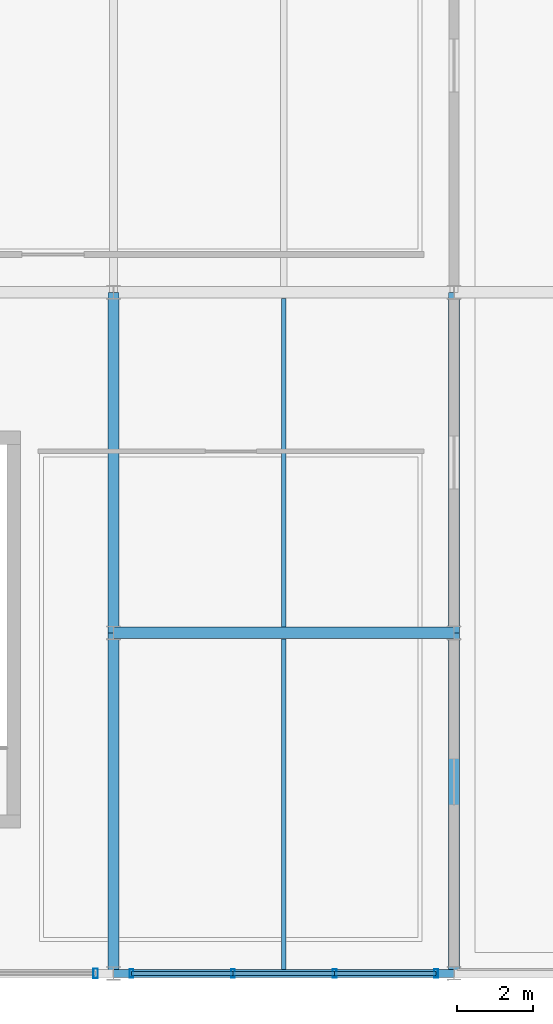
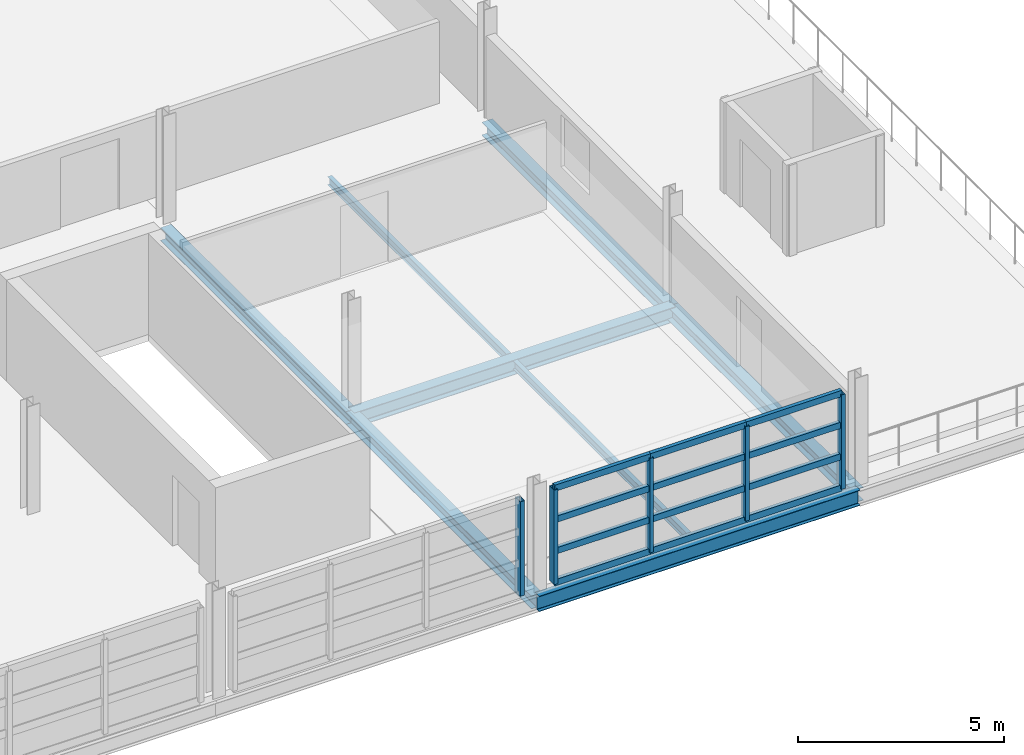
# One storey, part 36 of 86: 17 members, 8 beams, 2 elements without a shape of their own.
"""IFC4 building model written with IfcOpenShell, lengths in metres."""

from ifc_helpers import new_model, si_unit, direction, frame, origin, origin_2d, place, context, subcontext, project, spatial, hollow_rectangle, i_section, extrude, material, material_profile, profile_set, type_object, element, aggregate, save


model = new_model("IFC4")

# Units and contexts
model_context = context("Model", 3, precision=1e-05, world=origin(), true_north=direction((0.0, 1.0)))
body_context = subcontext(model_context, "Body", "Model", "MODEL_VIEW")
ifc_project = project(units=[si_unit("LENGTHUNIT", "METRE"), si_unit("AREAUNIT", "SQUARE_METRE"), si_unit("VOLUMEUNIT", "CUBIC_METRE"), si_unit("PLANEANGLEUNIT", "RADIAN"), si_unit("MASSUNIT", "GRAM", prefix="KILO")], contexts=[model_context])

# Site, building, storey
site_placement = place(None, origin())
site = spatial("IfcSite", under=ifc_project, at=site_placement, CompositionType="ELEMENT")
building_placement = place(site_placement, origin())
building = spatial("IfcBuilding", under=site, at=building_placement, Name="Chuanluo Vaults Station", CompositionType="ELEMENT")
storey_placement = place(building_placement, frame((0.0, 0.0, 14.39990234375)))
storey = spatial("IfcBuildingStorey", under=building, at=storey_placement, Name="L03", CompositionType="ELEMENT", Elevation=14.39990234375)

# Beams
ifc_material_1 = material(Name="Steel Q355C", Category="steel")
ifc_material_profile_1 = material_profile(ifc_material_1, i_section(OverallWidth=0.300048828125, OverallDepth=0.389892578125, WebThickness=0.010009765625, FlangeThickness=0.01611328125, FilletRadius=0.02001953125, at=origin_2d()))
ifc_profile_set_1 = profile_set([ifc_material_profile_1], Name="Steel Q355C")
beam_type_1 = type_object("IfcBeamType", Name="BM-GRD-400", PredefinedType="BEAM", material=ifc_profile_set_1)
for number, where, z_axis, x_axis, name in (
    (1, (163.0, 0.0, -0.39501953125), (0.0, 1.0, 0.0), (-1.0, 0.0, 0.0), "Floor girder BM:GY:L03:0804"),
    (2, (163.0, 9.0, -0.39501953125), (0.0, 1.0, 0.0), (-1.0, 0.0, 0.0), "Floor girder BM:GY:L03:0805"),
    (3, (172.0, 0.0, -0.4248046875), (0.0, 1.0, 0.0), (-1.0, 0.0, 0.0), "Floor girder BM:GY:L03:0814"),
    (4, (172.0, 9.0, -0.4248046875), (0.0, 1.0, 0.0), (-1.0, 0.0, 0.0), "Floor girder BM:GY:L03:0815"),
):
    element("IfcBeam", number, at=place(storey_placement, frame(where, z_axis=z_axis, x_axis=x_axis)), inside=storey, type_object=beam_type_1, Name=name, PredefinedType="BEAM", context=body_context, shape_type="SweptSolid", body=[
        extrude(i_section(OverallWidth=0.300048828125, OverallDepth=0.389892578125, WebThickness=0.010009765625, FlangeThickness=0.01611328125, FilletRadius=0.02001953125, at=origin_2d()), origin(), (0.0, 0.0, 1.0), 9.0),
    ])
ifc_material_2 = material(Name="Steel Q355C", Category="steel")
ifc_material_profile_2 = material_profile(ifc_material_2, i_section(OverallWidth=0.300048828125, OverallDepth=0.43994140625, WebThickness=0.010986328125, FlangeThickness=0.01806640625, FilletRadius=0.02001953125, at=origin_2d()))
ifc_profile_set_2 = profile_set([ifc_material_profile_2], Name="Steel Q355C")
beam_type_2 = type_object("IfcBeamType", Name="BM-GRD-450", PredefinedType="USERDEFINED", material=ifc_profile_set_2)
beam_1_placement = place(storey_placement, frame((163.0, 9.0, -0.419921875), z_axis=(1.0, 0.0, 0.0), x_axis=(0.0, 1.0, 0.0)))
element("IfcBeam", 5, at=beam_1_placement, inside=storey, type_object=beam_type_2, Name="Floor girder BM:GX:L03:0718", ObjectType="GIRDER", PredefinedType="USERDEFINED", context=body_context, shape_type="SweptSolid", body=[
    extrude(i_section(OverallWidth=0.300048828125, OverallDepth=0.43994140625, WebThickness=0.010986328125, FlangeThickness=0.01806640625, FilletRadius=0.02001953125, at=origin_2d()), origin(), (0.0, 0.0, 1.0), 9.0),
])
ifc_material_3 = material(Name="Steel Q355C", Category="steel")
ifc_material_profile_3 = material_profile(ifc_material_3, i_section(OverallWidth=0.125, OverallDepth=0.25, WebThickness=0.006103515625, FlangeThickness=0.009033203125, FilletRadius=0.011962890625, at=origin_2d()))
ifc_profile_set_3 = profile_set([ifc_material_profile_3], Name="Steel Q355C")
beam_type_3 = type_object("IfcBeamType", Name="BM-SEC-250", PredefinedType="JOIST", material=ifc_profile_set_3)
beam_2_placement = place(storey_placement, frame((167.5, 0.107421875, -0.324951171875), z_axis=(0.0, 1.0, 0.0), x_axis=(-1.0, 0.0, 0.0)))
element("IfcBeam", 6, at=beam_2_placement, inside=storey, type_object=beam_type_3, Name="Composite secondary joist 0250", PredefinedType="JOIST", context=body_context, shape_type="SweptSolid", body=[
    extrude(i_section(OverallWidth=0.125, OverallDepth=0.25, WebThickness=0.006103515625, FlangeThickness=0.009033203125, FilletRadius=0.011962890625, at=origin_2d()), origin(), (0.0, 0.0, 1.0), 8.737548828125),
])
beam_3_placement = place(storey_placement, frame((167.5, 9.155029296875, -0.324951171875), z_axis=(0.0, 1.0, 0.0), x_axis=(-1.0, 0.0, 0.0)))
element("IfcBeam", 7, at=beam_3_placement, inside=storey, type_object=beam_type_3, Name="Composite secondary joist 0251", PredefinedType="JOIST", context=body_context, shape_type="SweptSolid", body=[
    extrude(i_section(OverallWidth=0.125, OverallDepth=0.25, WebThickness=0.006103515625, FlangeThickness=0.009033203125, FilletRadius=0.011962890625, at=origin_2d()), origin(), (0.0, 0.0, 1.0), 8.68994140625),
])
ifc_material_4 = material(Name="Steel Q355C", Category="steel")
ifc_material_profile_4 = material_profile(ifc_material_4, i_section(OverallWidth=0.205078125, OverallDepth=0.4599609375, WebThickness=0.009033203125, FlangeThickness=0.013916015625, FilletRadius=0.01611328125, at=origin_2d()))
ifc_profile_set_4 = profile_set([ifc_material_profile_4], Name="Steel Q355C")
beam_type_4 = type_object("IfcBeamType", Name="BM-SPN-450", PredefinedType="SPANDREL", material=ifc_profile_set_4)
beam_4_placement = place(storey_placement, frame((163.0, 0.0, -0.429931640625), z_axis=(1.0, 0.0, 0.0), x_axis=(0.0, 1.0, 0.0)))
element("IfcBeam", 8, at=beam_4_placement, inside=storey, type_object=beam_type_4, Name="Floor girder BM:GX:L03:0714", PredefinedType="SPANDREL", context=body_context, shape_type="SweptSolid", body=[
    extrude(i_section(OverallWidth=0.205078125, OverallDepth=0.4599609375, WebThickness=0.009033203125, FlangeThickness=0.013916015625, FilletRadius=0.01611328125, at=origin_2d()), origin(), (0.0, 0.0, 1.0), 9.0),
])

# Curtain wall, members
ifc_material_5 = material(Name="Anodised aluminium 6063-T6", Category="aluminium")
curtain_wall_type_1 = type_object("IfcCurtainWallType", Name="CW-SYS-08", PredefinedType="NOTDEFINED", material=ifc_material_5)
curtain_wall_1_placement = place(storey_placement, origin())
curtain_wall_1 = element("IfcCurtainWall", 9, at=curtain_wall_1_placement, inside=storey, type_object=curtain_wall_type_1, Name="Retail pavilion L03 facade CW", PredefinedType="NOTDEFINED")
ifc_material_6 = material(Name="Anodised aluminium 6063-T6", Category="aluminium")
ifc_material_profile_5 = material_profile(ifc_material_6, hollow_rectangle(XDim=0.10498046875, YDim=0.219970703125, WallThickness=0.006103515625, at=origin_2d()))
ifc_profile_set_5 = profile_set([ifc_material_profile_5], Name="Anodised aluminium 6063-T6")
member_type_1 = type_object("IfcMemberType", Name="CWM-140", PredefinedType="MULLION", material=ifc_profile_set_5)
member_1_placement = place(storey_placement, frame((171.52490234375, 0.0, 0.0), z_axis=(0.0, 0.0, 1.0), x_axis=(-1.0, 0.0, 0.0)))
member_1 = element("IfcMember", 10, at=member_1_placement, type_object=member_type_1, Name="Retail pavilion L03 facade CW mullion 1", PredefinedType="MULLION", context=body_context, shape_type="SweptSolid", body=[
    extrude(hollow_rectangle(XDim=0.10498046875, YDim=0.219970703125, WallThickness=0.006103515625, at=origin_2d()), origin(), (0.0, 0.0, 1.0), 2.800048828125),
])
member_2_placement = place(storey_placement, frame((168.841796875, 0.0, 0.0), z_axis=(0.0, 0.0, 1.0), x_axis=(-1.0, 0.0, 0.0)))
member_2 = element("IfcMember", 11, at=member_2_placement, type_object=member_type_1, Name="Retail pavilion L03 facade CW mullion 2", PredefinedType="MULLION", context=body_context, shape_type="SweptSolid", body=[
    extrude(hollow_rectangle(XDim=0.10498046875, YDim=0.219970703125, WallThickness=0.006103515625, at=origin_2d()), origin(), (0.0, 0.0, 1.0), 2.800048828125),
])
member_3_placement = place(storey_placement, frame((166.158203125, 0.0, 0.0), z_axis=(0.0, 0.0, 1.0), x_axis=(-1.0, 0.0, 0.0)))
member_3 = element("IfcMember", 12, at=member_3_placement, type_object=member_type_1, Name="Retail pavilion L03 facade CW mullion 3", PredefinedType="MULLION", context=body_context, shape_type="SweptSolid", body=[
    extrude(hollow_rectangle(XDim=0.10498046875, YDim=0.219970703125, WallThickness=0.006103515625, at=origin_2d()), origin(), (0.0, 0.0, 1.0), 2.800048828125),
])
member_4_placement = place(storey_placement, frame((163.47509765625, 0.0, 0.0), z_axis=(0.0, 0.0, 1.0), x_axis=(-1.0, 0.0, 0.0)))
member_4 = element("IfcMember", 13, at=member_4_placement, type_object=member_type_1, Name="Retail pavilion L03 facade CW mullion 4", PredefinedType="MULLION", context=body_context, shape_type="SweptSolid", body=[
    extrude(hollow_rectangle(XDim=0.10498046875, YDim=0.219970703125, WallThickness=0.006103515625, at=origin_2d()), origin(), (0.0, 0.0, 1.0), 2.800048828125),
])

# Curtain wall, member
ifc_material_7 = material(Name="Anodised aluminium 6063-T6", Category="aluminium")
curtain_wall_type_2 = type_object("IfcCurtainWallType", Name="CW-SYS-07", PredefinedType="NOTDEFINED", material=ifc_material_7)
curtain_wall_2_placement = place(storey_placement, origin())
curtain_wall_2 = element("IfcCurtainWall", 14, at=curtain_wall_2_placement, inside=storey, type_object=curtain_wall_type_2, Name="Retail pavilion L03 facade CW", PredefinedType="NOTDEFINED")
ifc_material_8 = material(Name="Anodised aluminium 6063-T6", Category="aluminium")
ifc_material_profile_6 = material_profile(ifc_material_8, hollow_rectangle(XDim=0.1201171875, YDim=0.25, WallThickness=0.006103515625, at=origin_2d()))
ifc_profile_set_6 = profile_set([ifc_material_profile_6], Name="Anodised aluminium 6063-T6")
member_type_2 = type_object("IfcMemberType", Name="CWM-160", PredefinedType="MULLION", material=ifc_profile_set_6)
member_5_placement = place(storey_placement, frame((162.52490234375, 0.0, 0.0), z_axis=(0.0, 0.0, 1.0), x_axis=(-1.0, 0.0, 0.0)))
member_5 = element("IfcMember", 15, at=member_5_placement, type_object=member_type_2, Name="Retail pavilion L03 facade CW mullion 1", PredefinedType="MULLION", context=body_context, shape_type="SweptSolid", body=[
    extrude(hollow_rectangle(XDim=0.1201171875, YDim=0.25, WallThickness=0.006103515625, at=origin_2d()), origin(), (0.0, 0.0, 1.0), 2.800048828125),
])
aggregate(curtain_wall_2, [member_5])

# Member
ifc_material_9 = material(Name="Anodised aluminium 6063-T6", Category="aluminium")
ifc_material_profile_7 = material_profile(ifc_material_9, hollow_rectangle(XDim=0.10498046875, YDim=0.18505859375, WallThickness=0.0048828125, at=origin_2d()))
ifc_profile_set_7 = profile_set([ifc_material_profile_7], Name="Anodised aluminium 6063-T6")
member_type_3 = type_object("IfcMemberType", Name="CWT-110", PredefinedType="USERDEFINED", material=ifc_profile_set_7)
member_6_placement = place(storey_placement, frame((171.52490234375, 0.0, 0.0), z_axis=(-1.0, 0.0, 0.0), x_axis=(0.0, -1.0, 0.0)))
member_6 = element("IfcMember", 16, at=member_6_placement, type_object=member_type_3, Name="Retail pavilion L03 facade CW transom 1.1", ObjectType="TRANSOM", PredefinedType="USERDEFINED", context=body_context, shape_type="SweptSolid", body=[
    extrude(hollow_rectangle(XDim=0.10498046875, YDim=0.18505859375, WallThickness=0.0048828125, at=origin_2d()), origin(), (0.0, 0.0, 1.0), 2.68310546875),
])

member_7_placement = place(storey_placement, frame((171.52490234375, 0.0, 0.933349609375), z_axis=(-1.0, 0.0, 0.0), x_axis=(0.0, -1.0, 0.0)))
member_7 = element("IfcMember", 17, at=member_7_placement, type_object=member_type_3, Name="Retail pavilion L03 facade CW transom 1.2", ObjectType="TRANSOM", PredefinedType="USERDEFINED", context=body_context, shape_type="SweptSolid", body=[
    extrude(hollow_rectangle(XDim=0.10498046875, YDim=0.18505859375, WallThickness=0.0048828125, at=origin_2d()), origin(), (0.0, 0.0, 1.0), 2.68310546875),
])

member_8_placement = place(storey_placement, frame((171.52490234375, 0.0, 1.86669921875), z_axis=(-1.0, 0.0, 0.0), x_axis=(0.0, -1.0, 0.0)))
member_8 = element("IfcMember", 18, at=member_8_placement, type_object=member_type_3, Name="Retail pavilion L03 facade CW transom 1.3", ObjectType="TRANSOM", PredefinedType="USERDEFINED", context=body_context, shape_type="SweptSolid", body=[
    extrude(hollow_rectangle(XDim=0.10498046875, YDim=0.18505859375, WallThickness=0.0048828125, at=origin_2d()), origin(), (0.0, 0.0, 1.0), 2.68310546875),
])

member_9_placement = place(storey_placement, frame((171.52490234375, 0.0, 2.800048828125), z_axis=(-1.0, 0.0, 0.0), x_axis=(0.0, -1.0, 0.0)))
member_9 = element("IfcMember", 19, at=member_9_placement, type_object=member_type_3, Name="Retail pavilion L03 facade CW transom 1.4", ObjectType="TRANSOM", PredefinedType="USERDEFINED", context=body_context, shape_type="SweptSolid", body=[
    extrude(hollow_rectangle(XDim=0.10498046875, YDim=0.18505859375, WallThickness=0.0048828125, at=origin_2d()), origin(), (0.0, 0.0, 1.0), 2.68310546875),
])

member_10_placement = place(storey_placement, frame((168.841796875, 0.0, 0.0), z_axis=(-1.0, 0.0, 0.0), x_axis=(0.0, -1.0, 0.0)))
member_10 = element("IfcMember", 20, at=member_10_placement, type_object=member_type_3, Name="Retail pavilion L03 facade CW transom 2.1", ObjectType="TRANSOM", PredefinedType="USERDEFINED", context=body_context, shape_type="SweptSolid", body=[
    extrude(hollow_rectangle(XDim=0.10498046875, YDim=0.18505859375, WallThickness=0.0048828125, at=origin_2d()), origin(), (0.0, 0.0, 1.0), 2.68359375),
])

member_11_placement = place(storey_placement, frame((168.841796875, 0.0, 0.933349609375), z_axis=(-1.0, 0.0, 0.0), x_axis=(0.0, -1.0, 0.0)))
member_11 = element("IfcMember", 21, at=member_11_placement, type_object=member_type_3, Name="Retail pavilion L03 facade CW transom 2.2", ObjectType="TRANSOM", PredefinedType="USERDEFINED", context=body_context, shape_type="SweptSolid", body=[
    extrude(hollow_rectangle(XDim=0.10498046875, YDim=0.18505859375, WallThickness=0.0048828125, at=origin_2d()), origin(), (0.0, 0.0, 1.0), 2.68359375),
])

member_12_placement = place(storey_placement, frame((168.841796875, 0.0, 1.86669921875), z_axis=(-1.0, 0.0, 0.0), x_axis=(0.0, -1.0, 0.0)))
member_12 = element("IfcMember", 22, at=member_12_placement, type_object=member_type_3, Name="Retail pavilion L03 facade CW transom 2.3", ObjectType="TRANSOM", PredefinedType="USERDEFINED", context=body_context, shape_type="SweptSolid", body=[
    extrude(hollow_rectangle(XDim=0.10498046875, YDim=0.18505859375, WallThickness=0.0048828125, at=origin_2d()), origin(), (0.0, 0.0, 1.0), 2.68359375),
])

member_13_placement = place(storey_placement, frame((168.841796875, 0.0, 2.800048828125), z_axis=(-1.0, 0.0, 0.0), x_axis=(0.0, -1.0, 0.0)))
member_13 = element("IfcMember", 23, at=member_13_placement, type_object=member_type_3, Name="Retail pavilion L03 facade CW transom 2.4", ObjectType="TRANSOM", PredefinedType="USERDEFINED", context=body_context, shape_type="SweptSolid", body=[
    extrude(hollow_rectangle(XDim=0.10498046875, YDim=0.18505859375, WallThickness=0.0048828125, at=origin_2d()), origin(), (0.0, 0.0, 1.0), 2.68359375),
])

member_14_placement = place(storey_placement, frame((166.158203125, 0.0, 0.0), z_axis=(-1.0, 0.0, 0.0), x_axis=(0.0, -1.0, 0.0)))
member_14 = element("IfcMember", 24, at=member_14_placement, type_object=member_type_3, Name="Retail pavilion L03 facade CW transom 3.1", ObjectType="TRANSOM", PredefinedType="USERDEFINED", context=body_context, shape_type="SweptSolid", body=[
    extrude(hollow_rectangle(XDim=0.10498046875, YDim=0.18505859375, WallThickness=0.0048828125, at=origin_2d()), origin(), (0.0, 0.0, 1.0), 2.68310546875),
])

member_15_placement = place(storey_placement, frame((166.158203125, 0.0, 0.933349609375), z_axis=(-1.0, 0.0, 0.0), x_axis=(0.0, -1.0, 0.0)))
member_15 = element("IfcMember", 25, at=member_15_placement, type_object=member_type_3, Name="Retail pavilion L03 facade CW transom 3.2", ObjectType="TRANSOM", PredefinedType="USERDEFINED", context=body_context, shape_type="SweptSolid", body=[
    extrude(hollow_rectangle(XDim=0.10498046875, YDim=0.18505859375, WallThickness=0.0048828125, at=origin_2d()), origin(), (0.0, 0.0, 1.0), 2.68310546875),
])

member_16_placement = place(storey_placement, frame((166.158203125, 0.0, 1.86669921875), z_axis=(-1.0, 0.0, 0.0), x_axis=(0.0, -1.0, 0.0)))
member_16 = element("IfcMember", 26, at=member_16_placement, type_object=member_type_3, Name="Retail pavilion L03 facade CW transom 3.3", ObjectType="TRANSOM", PredefinedType="USERDEFINED", context=body_context, shape_type="SweptSolid", body=[
    extrude(hollow_rectangle(XDim=0.10498046875, YDim=0.18505859375, WallThickness=0.0048828125, at=origin_2d()), origin(), (0.0, 0.0, 1.0), 2.68310546875),
])

member_17_placement = place(storey_placement, frame((166.158203125, 0.0, 2.800048828125), z_axis=(-1.0, 0.0, 0.0), x_axis=(0.0, -1.0, 0.0)))
member_17 = element("IfcMember", 27, at=member_17_placement, type_object=member_type_3, Name="Retail pavilion L03 facade CW transom 3.4", ObjectType="TRANSOM", PredefinedType="USERDEFINED", context=body_context, shape_type="SweptSolid", body=[
    extrude(hollow_rectangle(XDim=0.10498046875, YDim=0.18505859375, WallThickness=0.0048828125, at=origin_2d()), origin(), (0.0, 0.0, 1.0), 2.68310546875),
])

aggregate(curtain_wall_1, [member_1, member_2, member_3, member_4, member_6, member_7, member_8, member_9, member_10, member_11, member_12, member_13, member_14, member_15, member_16, member_17])

save(model, "model.ifc")
